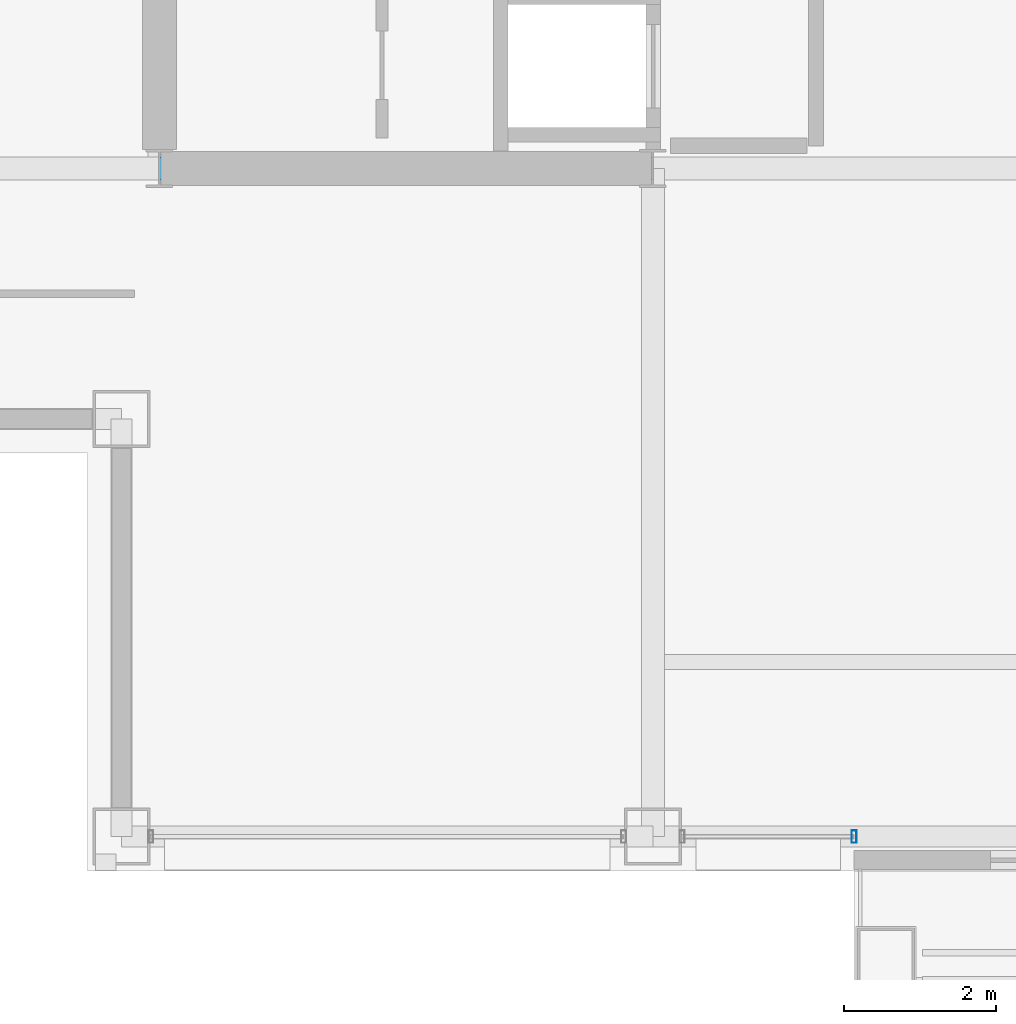
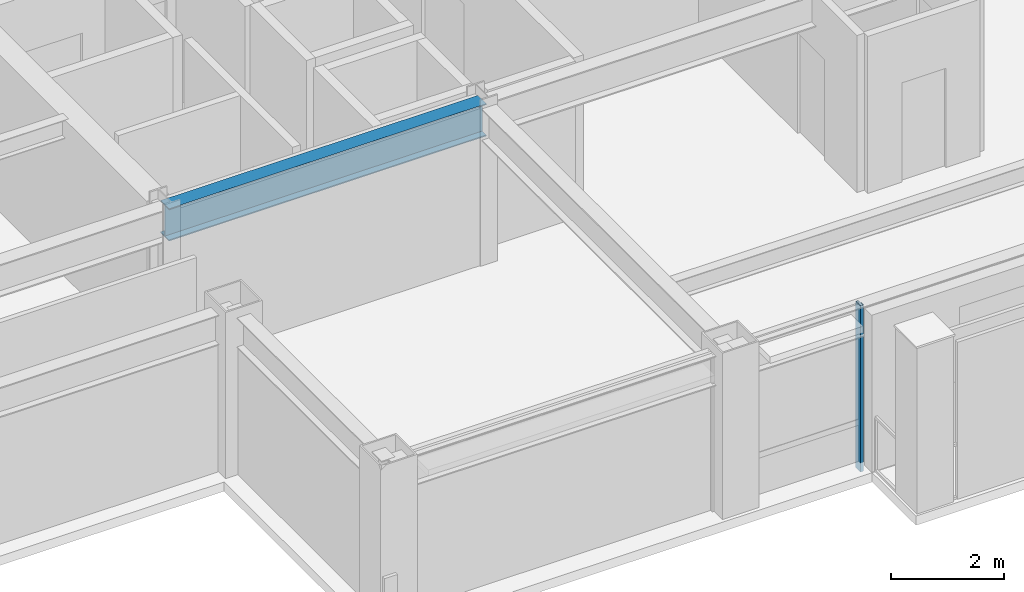
# One storey, part 5 of 28: 1 beam, 1 member, 1 element without a shape of its own.
"""IFC4 building model written with IfcOpenShell, lengths in metres."""

from ifc_helpers import new_model, si_unit, direction, frame, origin, origin_2d, place, context, subcontext, project, spatial, hollow_rectangle, i_section, extrude, material, layer, layer_set, material_profile, profile_set, type_object, element, aggregate, save


model = new_model("IFC4")

# Units and contexts
model_context = context("Model", 3, precision=1e-05, world=origin(), true_north=direction((0.0, 1.0)))
body_context = subcontext(model_context, "Body", "Model", "MODEL_VIEW")
ifc_project = project(units=[si_unit("LENGTHUNIT", "METRE"), si_unit("AREAUNIT", "SQUARE_METRE"), si_unit("VOLUMEUNIT", "CUBIC_METRE"), si_unit("PLANEANGLEUNIT", "RADIAN"), si_unit("MASSUNIT", "GRAM", prefix="KILO")], contexts=[model_context])

# Site, building, storey
site_placement = place(None, origin())
site = spatial("IfcSite", under=ifc_project, at=site_placement, CompositionType="ELEMENT")
building_placement = place(site_placement, origin())
building = spatial("IfcBuilding", under=site, at=building_placement, Name="Brelmoor Portico Tower", CompositionType="ELEMENT")
storey_placement = place(building_placement, frame((0.0, 0.0, 165.89990234375)))
storey = spatial("IfcBuildingStorey", under=building, at=storey_placement, Name="L43", CompositionType="ELEMENT", Elevation=165.89990234375)

# Beam
ifc_material_1 = material(Name="Steel Q355B", Category="steel")
ifc_material_profile_1 = material_profile(ifc_material_1, i_section(OverallWidth=0.300048828125, OverallDepth=0.699951171875, WebThickness=0.012939453125, FlangeThickness=0.02392578125, at=origin_2d()), Name="HN 700x300x13x24")
ifc_profile_set_1 = profile_set([ifc_material_profile_1], Name="Steel Q355B")
beam_type = type_object("IfcBeamType", Name="BM-PG-700", PredefinedType="BEAM", material=ifc_profile_set_1)
beam_placement = place(storey_placement, frame((-14.550048828125, -9.75, 3.050048828125), z_axis=(1.0, 0.0, 0.0), x_axis=(0.0, 1.0, 0.0)))
element("IfcBeam", 1, at=beam_placement, inside=storey, type_object=beam_type, Name="L43 Primary Floor Girder PG-12", PredefinedType="BEAM", context=body_context, shape_type="SweptSolid", body=[
    extrude(i_section(OverallWidth=0.300048828125, OverallDepth=0.699951171875, WebThickness=0.012939453125, FlangeThickness=0.02392578125, at=origin_2d()), origin(), (0.0, 0.0, 1.0), 6.5),
])

# Curtain wall, member
ifc_material_2 = material(Name="Anodised Aluminium Alloy 6063-T6", Category="aluminium")
ifc_layer = layer(ifc_material_2, 0.179931640625)
ifc_layer_set = layer_set([ifc_layer], Name="Anodised Aluminium Alloy 6063-T6")
curtain_wall_type = type_object("IfcCurtainWallType", Name="CW-TOWER-Z3", PredefinedType="NOTDEFINED", material=ifc_layer_set)
curtain_wall_placement = place(storey_placement, origin())
curtain_wall = element("IfcCurtainWall", 2, at=curtain_wall_placement, inside=storey, type_object=curtain_wall_type, Name="L43 Curtain Wall CW-L43-1L-2", PredefinedType="NOTDEFINED")
ifc_material_profile_2 = material_profile(ifc_material_2, hollow_rectangle(XDim=0.06494140625, YDim=0.1650390625, WallThickness=0.00390625, at=origin_2d()), Name="ALU MULLION 65x165")
ifc_profile_set_2 = profile_set([ifc_material_profile_2], Name="Anodised Aluminium Alloy 6063-T6")
member_type = type_object("IfcMemberType", Name="MB-CW-MULL-165", PredefinedType="MULLION", material=ifc_profile_set_2)
member_placement = place(storey_placement, frame((-5.39990234375, -18.550048828125, -0.199951171875), z_axis=(0.0, 0.0, 1.0), x_axis=(1.0, 0.0, 0.0)))
member = element("IfcMember", 3, at=member_placement, type_object=member_type, Name="CW-L43-1L-2 Mullion 01", PredefinedType="MULLION", context=body_context, shape_type="SweptSolid", body=[
    extrude(hollow_rectangle(XDim=0.06494140625, YDim=0.1650390625, WallThickness=0.00390625, at=origin_2d()), origin(), (0.0, 0.0, 1.0), 3.60009765625),
])
aggregate(curtain_wall, [member])

save(model, "model.ifc")
